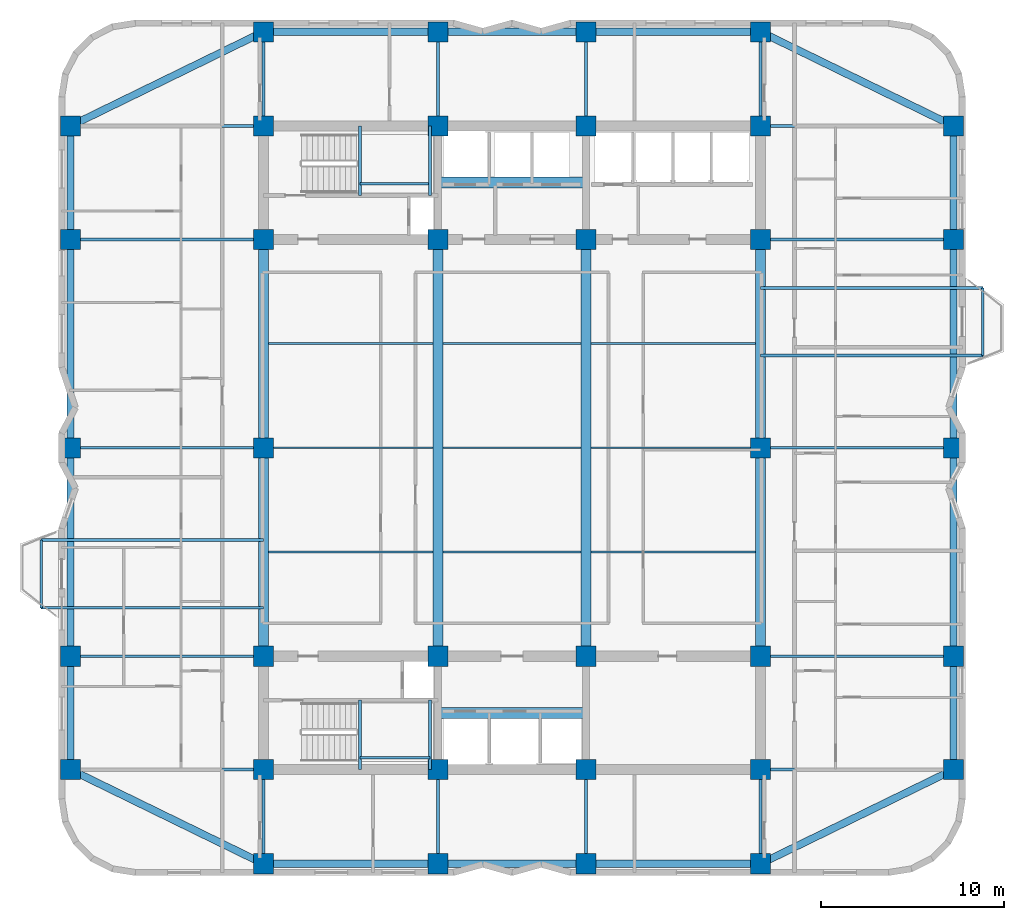
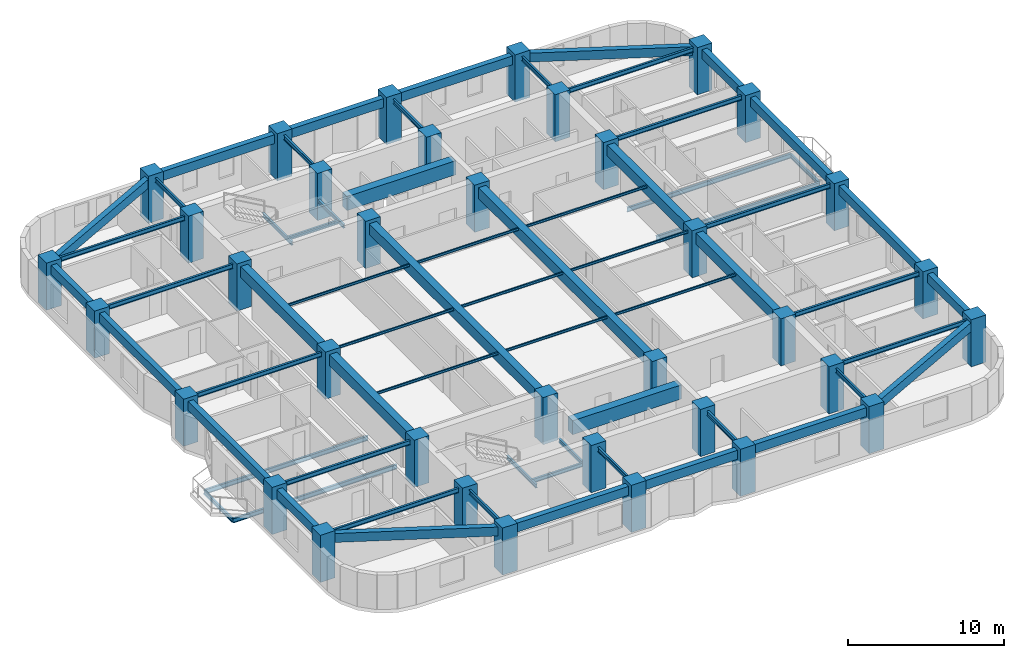
# One storey, part 1 of 9: 65 beams, 36 columns.
"""IFC4 building model written with IfcOpenShell, lengths in metres."""

from ifc_helpers import new_model, si_unit, direction, frame, origin, origin_2d, place, context, subcontext, project, spatial, rectangle, i_section, extrude, material, material_profile, profile_set, type_object, element, save


model = new_model("IFC4")

# Units and contexts
model_context = context("Model", 3, precision=1e-05, world=origin(), true_north=direction((0.0, 1.0)))
body_context = subcontext(model_context, "Body", "Model", "MODEL_VIEW")
ifc_project = project(units=[si_unit("LENGTHUNIT", "METRE"), si_unit("AREAUNIT", "SQUARE_METRE"), si_unit("VOLUMEUNIT", "CUBIC_METRE"), si_unit("PLANEANGLEUNIT", "RADIAN"), si_unit("MASSUNIT", "GRAM", prefix="KILO")], contexts=[model_context])

# Site, building, storey
site_placement = place(None, origin())
site = spatial("IfcSite", under=ifc_project, at=site_placement, CompositionType="ELEMENT")
building_placement = place(site_placement, origin())
building = spatial("IfcBuilding", under=site, at=building_placement, Name="Svetorya Sky Lyceum", CompositionType="ELEMENT")
storey_placement = place(building_placement, frame((0.0, 0.0, 121.60009765625)))
storey = spatial("IfcBuildingStorey", under=building, at=storey_placement, Name="L30", CompositionType="ELEMENT", Elevation=121.60009765625)

# Columns
ifc_material_1 = material(Name="Concrete C50/60", Category="concrete")
ifc_material_profile_1 = material_profile(ifc_material_1, rectangle(XDim=1.10009765625, YDim=1.10009765625, at=origin_2d()), Name="RC COL 1100x1100")
ifc_profile_set_1 = profile_set([ifc_material_profile_1], Name="Concrete C50/60")
column_type = type_object("IfcColumnType", Name="COL-RC-1100", PredefinedType="COLUMN", material=ifc_profile_set_1)
for number, where, z_axis, x_axis, name in (
    (1, (25.60009765625, 10.60009765625, 0.0), (0.0, 0.0, 1.0), (1.0, 0.0, 0.0), "L30 Core Column CS-11"),
    (2, (25.60009765625, 16.800048828125, 0.0), (0.0, 0.0, 1.0), (1.0, 0.0, 0.0), "L30 Core Column CS-12"),
    (3, (35.14990234375, 10.60009765625, 0.0), (0.0, 0.0, 1.0), (1.0, 0.0, 0.0), "L30 Core Column CS-21"),
    (4, (35.14990234375, 16.800048828125, 0.0), (0.0, 0.0, 1.0), (1.0, 0.0, 0.0), "L30 Core Column CS-22"),
    (5, (43.25, 10.60009765625, 0.0), (0.0, 0.0, 1.0), (1.0, 0.0, 0.0), "L30 Core Column CS-31"),
    (6, (43.25, 16.800048828125, 0.0), (0.0, 0.0, 1.0), (1.0, 0.0, 0.0), "L30 Core Column CS-32"),
    (7, (52.800048828125, 10.60009765625, 0.0), (0.0, 0.0, 1.0), (1.0, 0.0, 0.0), "L30 Core Column CS-41"),
    (8, (52.800048828125, 16.800048828125, 0.0), (0.0, 0.0, 1.0), (1.0, 0.0, 0.0), "L30 Core Column CS-42"),
    (9, (25.60009765625, 39.60009765625, 0.0), (0.0, 0.0, 1.0), (1.0, 0.0, 0.0), "L30 Core Column CN-11"),
    (10, (25.60009765625, 45.800048828125, 0.0), (0.0, 0.0, 1.0), (1.0, 0.0, 0.0), "L30 Core Column CN-12"),
    (11, (35.14990234375, 39.60009765625, 0.0), (0.0, 0.0, 1.0), (1.0, 0.0, 0.0), "L30 Core Column CN-21"),
    (12, (35.14990234375, 45.800048828125, 0.0), (0.0, 0.0, 1.0), (1.0, 0.0, 0.0), "L30 Core Column CN-22"),
    (13, (43.25, 39.60009765625, 0.0), (0.0, 0.0, 1.0), (1.0, 0.0, 0.0), "L30 Core Column CN-31"),
    (14, (43.25, 45.800048828125, 0.0), (0.0, 0.0, 1.0), (1.0, 0.0, 0.0), "L30 Core Column CN-32"),
    (15, (52.800048828125, 39.60009765625, 0.0), (0.0, 0.0, 1.0), (1.0, 0.0, 0.0), "L30 Core Column CN-41"),
    (16, (52.800048828125, 45.800048828125, 0.0), (0.0, 0.0, 1.0), (1.0, 0.0, 0.0), "L30 Core Column CN-42"),
    (17, (25.60009765625, 28.199951171875, 0.0), (0.0, 0.0, 1.0), (1.0, 0.0, 0.0), "L30 Core Column CM-W"),
    (18, (52.800048828125, 28.199951171875, 0.0), (0.0, 0.0, 1.0), (1.0, 0.0, 0.0), "L30 Core Column CM-E"),
    (19, (25.60009765625, 5.449951171875, 0.0), (0.0, 0.0, 1.0), (1.0, 0.0, 0.0), "L30 Perimeter Column S1"),
    (20, (25.60009765625, 50.949951171875, 0.0), (0.0, 0.0, 1.0), (1.0, 0.0, 0.0), "L30 Perimeter Column N1"),
    (21, (35.14990234375, 5.449951171875, 0.0), (0.0, 0.0, 1.0), (1.0, 0.0, 0.0), "L30 Perimeter Column S2"),
    (22, (35.14990234375, 50.949951171875, 0.0), (0.0, 0.0, 1.0), (1.0, 0.0, 0.0), "L30 Perimeter Column N2"),
    (23, (43.25, 5.449951171875, 0.0), (0.0, 0.0, 1.0), (1.0, 0.0, 0.0), "L30 Perimeter Column S3"),
    (24, (43.25, 50.949951171875, 0.0), (0.0, 0.0, 1.0), (1.0, 0.0, 0.0), "L30 Perimeter Column N3"),
    (25, (52.800048828125, 5.449951171875, 0.0), (0.0, 0.0, 1.0), (1.0, 0.0, 0.0), "L30 Perimeter Column S4"),
    (26, (52.800048828125, 50.949951171875, 0.0), (0.0, 0.0, 1.0), (1.0, 0.0, 0.0), "L30 Perimeter Column N4"),
    (27, (15.050048828125, 10.60009765625, 0.0), (0.0, 0.0, 1.0), (1.0, 0.0, 0.0), "L30 Perimeter Column W1"),
    (28, (63.35009765625, 10.60009765625, 0.0), (0.0, 0.0, 1.0), (1.0, 0.0, 0.0), "L30 Perimeter Column E1"),
    (29, (15.050048828125, 16.800048828125, 0.0), (0.0, 0.0, 1.0), (1.0, 0.0, 0.0), "L30 Perimeter Column W2"),
    (30, (63.35009765625, 16.800048828125, 0.0), (0.0, 0.0, 1.0), (1.0, 0.0, 0.0), "L30 Perimeter Column E2"),
    (31, (15.050048828125, 28.199951171875, 0.0), (0.0, 0.0, 1.0), (1.0, 0.0, 0.0), "L30 Perimeter Column W3"),
    (32, (63.35009765625, 28.199951171875, 0.0), (0.0, 0.0, 1.0), (1.0, 0.0, 0.0), "L30 Perimeter Column E3"),
    (33, (15.050048828125, 39.60009765625, 0.0), (0.0, 0.0, 1.0), (1.0, 0.0, 0.0), "L30 Perimeter Column W4"),
    (34, (63.35009765625, 39.60009765625, 0.0), (0.0, 0.0, 1.0), (1.0, 0.0, 0.0), "L30 Perimeter Column E4"),
    (35, (15.050048828125, 45.800048828125, 0.0), (0.0, 0.0, 1.0), (1.0, 0.0, 0.0), "L30 Perimeter Column W5"),
    (36, (63.35009765625, 45.800048828125, 0.0), (0.0, 0.0, 1.0), (1.0, 0.0, 0.0), "L30 Perimeter Column E5"),
):
    element("IfcColumn", number, at=place(storey_placement, frame(where, z_axis=z_axis, x_axis=x_axis)), inside=storey, type_object=column_type, Name=name, PredefinedType="COLUMN", context=body_context, shape_type="SweptSolid", body=[
        extrude(rectangle(XDim=1.10009765625, YDim=1.10009765625, at=origin_2d()), origin(), (0.0, 0.0, 1.0), 3.699951171875),
    ])

# Beams
ifc_material_2 = material(Name="Concrete C60/75", Category="concrete")
ifc_material_profile_2 = material_profile(ifc_material_2, rectangle(XDim=0.60009765625, YDim=1.10009765625, at=origin_2d()), Name="RC COUPLING 600x1100")
ifc_profile_set_2 = profile_set([ifc_material_profile_2], Name="Concrete C60/75")
beam_type_1 = type_object("IfcBeamType", Name="BM-CPL-1100", PredefinedType="LINTEL", material=ifc_profile_set_2)
for number, where, z_axis, x_axis, name in (
    (37, (35.14990234375, 13.699951171875, 2.869873046875), (1.0, 0.0, 0.0), (0.0, 1.0, 0.0), "L30 SC Core Coupling Beam"),
    (38, (35.14990234375, 42.699951171875, 2.869873046875), (1.0, 0.0, 0.0), (0.0, 1.0, 0.0), "L30 NC Core Coupling Beam"),
):
    element("IfcBeam", number, at=place(storey_placement, frame(where, z_axis=z_axis, x_axis=x_axis)), inside=storey, type_object=beam_type_1, Name=name, PredefinedType="LINTEL", context=body_context, shape_type="SweptSolid", body=[
        extrude(rectangle(XDim=0.60009765625, YDim=1.10009765625, at=origin_2d()), origin(), (0.0, 0.0, 1.0), 8.10009765625),
    ])
ifc_material_profile_3 = material_profile(ifc_material_1, rectangle(XDim=0.550048828125, YDim=0.85009765625, at=origin_2d()), Name="RC BEAM 550x850")
ifc_profile_set_3 = profile_set([ifc_material_profile_3], Name="Concrete C50/60")
beam_type_2 = type_object("IfcBeamType", Name="BM-RC-850", PredefinedType="BEAM", material=ifc_profile_set_3)
beam_1_placement = place(storey_placement, frame((25.60009765625, 16.800048828125, 2.994873046875), z_axis=(0.0, 1.0, 0.0), x_axis=(-1.0, 0.0, 0.0)))
element("IfcBeam", 39, at=beam_1_placement, inside=storey, type_object=beam_type_2, Name="L30 Central Bay Primary Girder CG-1A", PredefinedType="BEAM", context=body_context, shape_type="SweptSolid", body=[
    extrude(rectangle(XDim=0.550048828125, YDim=0.85009765625, at=origin_2d()), origin(), (0.0, 0.0, 1.0), 11.39990234375),
])
beam_2_placement = place(storey_placement, frame((25.60009765625, 28.199951171875, 2.994873046875), z_axis=(0.0, 1.0, 0.0), x_axis=(-1.0, 0.0, 0.0)))
element("IfcBeam", 40, at=beam_2_placement, inside=storey, type_object=beam_type_2, Name="L30 Central Bay Primary Girder CG-1B", PredefinedType="BEAM", context=body_context, shape_type="SweptSolid", body=[
    extrude(rectangle(XDim=0.550048828125, YDim=0.85009765625, at=origin_2d()), origin(), (0.0, 0.0, 1.0), 11.400146484375),
])
for number, where, z_axis, x_axis, name in (
    (41, (35.14990234375, 16.800048828125, 2.994873046875), (0.0, 1.0, 0.0), (-1.0, 0.0, 0.0), "L30 Central Bay Primary Girder CG-2"),
    (42, (43.25, 16.800048828125, 2.994873046875), (0.0, 1.0, 0.0), (-1.0, 0.0, 0.0), "L30 Central Bay Primary Girder CG-3"),
):
    element("IfcBeam", number, at=place(storey_placement, frame(where, z_axis=z_axis, x_axis=x_axis)), inside=storey, type_object=beam_type_2, Name=name, PredefinedType="BEAM", context=body_context, shape_type="SweptSolid", body=[
        extrude(rectangle(XDim=0.550048828125, YDim=0.85009765625, at=origin_2d()), origin(), (0.0, 0.0, 1.0), 22.800048828125),
    ])
beam_3_placement = place(storey_placement, frame((52.800048828125, 16.800048828125, 2.994873046875), z_axis=(0.0, 1.0, 0.0), x_axis=(-1.0, 0.0, 0.0)))
element("IfcBeam", 43, at=beam_3_placement, inside=storey, type_object=beam_type_2, Name="L30 Central Bay Primary Girder CG-4A", PredefinedType="BEAM", context=body_context, shape_type="SweptSolid", body=[
    extrude(rectangle(XDim=0.550048828125, YDim=0.85009765625, at=origin_2d()), origin(), (0.0, 0.0, 1.0), 11.39990234375),
])
beam_4_placement = place(storey_placement, frame((52.800048828125, 28.199951171875, 2.994873046875), z_axis=(0.0, 1.0, 0.0), x_axis=(-1.0, 0.0, 0.0)))
element("IfcBeam", 44, at=beam_4_placement, inside=storey, type_object=beam_type_2, Name="L30 Central Bay Primary Girder CG-4B", PredefinedType="BEAM", context=body_context, shape_type="SweptSolid", body=[
    extrude(rectangle(XDim=0.550048828125, YDim=0.85009765625, at=origin_2d()), origin(), (0.0, 0.0, 1.0), 11.400146484375),
])
ifc_material_profile_4 = material_profile(ifc_material_1, rectangle(XDim=0.39990234375, YDim=0.699951171875, at=origin_2d()), Name="RC SPANDREL 400x700")
ifc_profile_set_4 = profile_set([ifc_material_profile_4], Name="Concrete C50/60")
beam_type_3 = type_object("IfcBeamType", Name="BM-SPN-700", PredefinedType="SPANDREL", material=ifc_profile_set_4)
beam_5_placement = place(storey_placement, frame((25.60009765625, 5.449951171875, 3.06982421875), z_axis=(1.0, 0.0, 0.0), x_axis=(0.0, 1.0, 0.0)))
element("IfcBeam", 45, at=beam_5_placement, inside=storey, type_object=beam_type_3, Name="L30 South Spandrel 1", PredefinedType="SPANDREL", context=body_context, shape_type="SweptSolid", body=[
    extrude(rectangle(XDim=0.39990234375, YDim=0.699951171875, at=origin_2d()), origin(), (0.0, 0.0, 1.0), 9.5498046875),
])
beam_6_placement = place(storey_placement, frame((35.14990234375, 5.449951171875, 3.06982421875), z_axis=(1.0, 0.0, 0.0), x_axis=(0.0, 1.0, 0.0)))
element("IfcBeam", 46, at=beam_6_placement, inside=storey, type_object=beam_type_3, Name="L30 South Spandrel 2", PredefinedType="SPANDREL", context=body_context, shape_type="SweptSolid", body=[
    extrude(rectangle(XDim=0.39990234375, YDim=0.699951171875, at=origin_2d()), origin(), (0.0, 0.0, 1.0), 8.10009765625),
])
beam_7_placement = place(storey_placement, frame((43.25, 5.449951171875, 3.06982421875), z_axis=(1.0, 0.0, 0.0), x_axis=(0.0, 1.0, 0.0)))
element("IfcBeam", 47, at=beam_7_placement, inside=storey, type_object=beam_type_3, Name="L30 South Spandrel 3", PredefinedType="SPANDREL", context=body_context, shape_type="SweptSolid", body=[
    extrude(rectangle(XDim=0.39990234375, YDim=0.699951171875, at=origin_2d()), origin(), (0.0, 0.0, 1.0), 9.550048828125),
])
beam_8_placement = place(storey_placement, frame((25.60009765625, 50.949951171875, 3.06982421875), z_axis=(1.0, 0.0, 0.0), x_axis=(0.0, 1.0, 0.0)))
element("IfcBeam", 48, at=beam_8_placement, inside=storey, type_object=beam_type_3, Name="L30 North Spandrel 1", PredefinedType="SPANDREL", context=body_context, shape_type="SweptSolid", body=[
    extrude(rectangle(XDim=0.39990234375, YDim=0.699951171875, at=origin_2d()), origin(), (0.0, 0.0, 1.0), 9.5498046875),
])
beam_9_placement = place(storey_placement, frame((35.14990234375, 50.949951171875, 3.06982421875), z_axis=(1.0, 0.0, 0.0), x_axis=(0.0, 1.0, 0.0)))
element("IfcBeam", 49, at=beam_9_placement, inside=storey, type_object=beam_type_3, Name="L30 North Spandrel 2", PredefinedType="SPANDREL", context=body_context, shape_type="SweptSolid", body=[
    extrude(rectangle(XDim=0.39990234375, YDim=0.699951171875, at=origin_2d()), origin(), (0.0, 0.0, 1.0), 8.10009765625),
])
beam_10_placement = place(storey_placement, frame((43.25, 50.949951171875, 3.06982421875), z_axis=(1.0, 0.0, 0.0), x_axis=(0.0, 1.0, 0.0)))
element("IfcBeam", 50, at=beam_10_placement, inside=storey, type_object=beam_type_3, Name="L30 North Spandrel 3", PredefinedType="SPANDREL", context=body_context, shape_type="SweptSolid", body=[
    extrude(rectangle(XDim=0.39990234375, YDim=0.699951171875, at=origin_2d()), origin(), (0.0, 0.0, 1.0), 9.550048828125),
])
for number, where, z_axis, x_axis, name in (
    (51, (25.60009765625, 5.449951171875, 3.06982421875), (-0.898641495694, 0.438683783854, 0.0), (-0.438683783854, -0.898641495694, 0.0), "L30 Corner Spandrel 1"),
    (52, (52.800048828125, 5.449951171875, 3.06982421875), (0.898641495694, 0.438683783854, 0.0), (-0.438683783854, 0.898641495694, 0.0), "L30 Corner Spandrel 2"),
    (53, (63.35009765625, 45.800048828125, 3.06982421875), (-0.898649693653, 0.438666989978, 0.0), (-0.438666989978, -0.898649693653, 0.0), "L30 Corner Spandrel 3"),
    (54, (15.050048828125, 45.800048828125, 3.06982421875), (0.898649693653, 0.438666989978, 0.0), (-0.438666989978, 0.898649693653, 0.0), "L30 Corner Spandrel 4"),
):
    element("IfcBeam", number, at=place(storey_placement, frame(where, z_axis=z_axis, x_axis=x_axis)), inside=storey, type_object=beam_type_3, Name=name, PredefinedType="SPANDREL", context=body_context, shape_type="SweptSolid", body=[
        extrude(rectangle(XDim=0.39990234375, YDim=0.699951171875, at=origin_2d()), origin(), (0.0, 0.0, 1.0), 11.739990234375),
    ])
beam_11_placement = place(storey_placement, frame((15.050048828125, 10.60009765625, 3.06982421875), z_axis=(0.0, 1.0, 0.0), x_axis=(-1.0, 0.0, 0.0)))
element("IfcBeam", 55, at=beam_11_placement, inside=storey, type_object=beam_type_3, Name="L30 West Spandrel 1", PredefinedType="SPANDREL", context=body_context, shape_type="SweptSolid", body=[
    extrude(rectangle(XDim=0.39990234375, YDim=0.699951171875, at=origin_2d()), origin(), (0.0, 0.0, 1.0), 6.199951171875),
])
beam_12_placement = place(storey_placement, frame((15.050048828125, 16.800048828125, 3.06982421875), z_axis=(0.0, 1.0, 0.0), x_axis=(-1.0, 0.0, 0.0)))
element("IfcBeam", 56, at=beam_12_placement, inside=storey, type_object=beam_type_3, Name="L30 West Spandrel 2", PredefinedType="SPANDREL", context=body_context, shape_type="SweptSolid", body=[
    extrude(rectangle(XDim=0.39990234375, YDim=0.699951171875, at=origin_2d()), origin(), (0.0, 0.0, 1.0), 11.39990234375),
])
beam_13_placement = place(storey_placement, frame((15.050048828125, 28.199951171875, 3.06982421875), z_axis=(0.0, 1.0, 0.0), x_axis=(-1.0, 0.0, 0.0)))
element("IfcBeam", 57, at=beam_13_placement, inside=storey, type_object=beam_type_3, Name="L30 West Spandrel 3", PredefinedType="SPANDREL", context=body_context, shape_type="SweptSolid", body=[
    extrude(rectangle(XDim=0.39990234375, YDim=0.699951171875, at=origin_2d()), origin(), (0.0, 0.0, 1.0), 11.400146484375),
])
for number, where, z_axis, x_axis, name in (
    (58, (15.050048828125, 39.60009765625, 3.06982421875), (0.0, 1.0, 0.0), (-1.0, 0.0, 0.0), "L30 West Spandrel 4"),
    (59, (63.35009765625, 10.60009765625, 3.06982421875), (0.0, 1.0, 0.0), (-1.0, 0.0, 0.0), "L30 East Spandrel 1"),
):
    element("IfcBeam", number, at=place(storey_placement, frame(where, z_axis=z_axis, x_axis=x_axis)), inside=storey, type_object=beam_type_3, Name=name, PredefinedType="SPANDREL", context=body_context, shape_type="SweptSolid", body=[
        extrude(rectangle(XDim=0.39990234375, YDim=0.699951171875, at=origin_2d()), origin(), (0.0, 0.0, 1.0), 6.199951171875),
    ])
beam_14_placement = place(storey_placement, frame((63.35009765625, 16.800048828125, 3.06982421875), z_axis=(0.0, 1.0, 0.0), x_axis=(-1.0, 0.0, 0.0)))
element("IfcBeam", 60, at=beam_14_placement, inside=storey, type_object=beam_type_3, Name="L30 East Spandrel 2", PredefinedType="SPANDREL", context=body_context, shape_type="SweptSolid", body=[
    extrude(rectangle(XDim=0.39990234375, YDim=0.699951171875, at=origin_2d()), origin(), (0.0, 0.0, 1.0), 11.39990234375),
])
beam_15_placement = place(storey_placement, frame((63.35009765625, 28.199951171875, 3.06982421875), z_axis=(0.0, 1.0, 0.0), x_axis=(-1.0, 0.0, 0.0)))
element("IfcBeam", 61, at=beam_15_placement, inside=storey, type_object=beam_type_3, Name="L30 East Spandrel 3", PredefinedType="SPANDREL", context=body_context, shape_type="SweptSolid", body=[
    extrude(rectangle(XDim=0.39990234375, YDim=0.699951171875, at=origin_2d()), origin(), (0.0, 0.0, 1.0), 11.400146484375),
])
beam_16_placement = place(storey_placement, frame((63.35009765625, 39.60009765625, 3.06982421875), z_axis=(0.0, 1.0, 0.0), x_axis=(-1.0, 0.0, 0.0)))
element("IfcBeam", 62, at=beam_16_placement, inside=storey, type_object=beam_type_3, Name="L30 East Spandrel 4", PredefinedType="SPANDREL", context=body_context, shape_type="SweptSolid", body=[
    extrude(rectangle(XDim=0.39990234375, YDim=0.699951171875, at=origin_2d()), origin(), (0.0, 0.0, 1.0), 6.199951171875),
])
ifc_material_3 = material(Name="Steel S355", Category="steel")
ifc_material_profile_5 = material_profile(ifc_material_3, i_section(OverallWidth=0.10009765625, OverallDepth=0.199951171875, WebThickness=0.005615234375, FlangeThickness=0.008544921875, at=origin_2d()), Name="GOST 20B1")
ifc_profile_set_5 = profile_set([ifc_material_profile_5], Name="Steel S355")
beam_type_4 = type_object("IfcBeamType", Name="BM-STL-20B1", PredefinedType="JOIST", material=ifc_profile_set_5)
beam_17_placement = place(storey_placement, frame((25.875, 22.5, 3.31982421875), z_axis=(1.0, 0.0, 0.0), x_axis=(0.0, 1.0, 0.0)))
element("IfcBeam", 63, at=beam_17_placement, inside=storey, type_object=beam_type_4, Name="L30 Central Floor Joist CJ-1.1", PredefinedType="JOIST", context=body_context, shape_type="SweptSolid", body=[
    extrude(i_section(OverallWidth=0.10009765625, OverallDepth=0.199951171875, WebThickness=0.005615234375, FlangeThickness=0.008544921875, at=origin_2d()), origin(), (0.0, 0.0, 1.0), 9.0),
])
beam_18_placement = place(storey_placement, frame((35.425048828125, 22.5, 3.31982421875), z_axis=(1.0, 0.0, 0.0), x_axis=(0.0, 1.0, 0.0)))
element("IfcBeam", 64, at=beam_18_placement, inside=storey, type_object=beam_type_4, Name="L30 Central Floor Joist CJ-1.2", PredefinedType="JOIST", context=body_context, shape_type="SweptSolid", body=[
    extrude(i_section(OverallWidth=0.10009765625, OverallDepth=0.199951171875, WebThickness=0.005615234375, FlangeThickness=0.008544921875, at=origin_2d()), origin(), (0.0, 0.0, 1.0), 7.550048828125),
])
for number, where, z_axis, x_axis, name in (
    (65, (43.52490234375, 22.5, 3.31982421875), (1.0, 0.0, 0.0), (0.0, 1.0, 0.0), "L30 Central Floor Joist CJ-1.3"),
    (66, (25.875, 28.199951171875, 3.31982421875), (1.0, 0.0, 0.0), (0.0, 1.0, 0.0), "L30 Central Floor Joist CJ-2.1"),
):
    element("IfcBeam", number, at=place(storey_placement, frame(where, z_axis=z_axis, x_axis=x_axis)), inside=storey, type_object=beam_type_4, Name=name, PredefinedType="JOIST", context=body_context, shape_type="SweptSolid", body=[
        extrude(i_section(OverallWidth=0.10009765625, OverallDepth=0.199951171875, WebThickness=0.005615234375, FlangeThickness=0.008544921875, at=origin_2d()), origin(), (0.0, 0.0, 1.0), 9.0),
    ])
beam_19_placement = place(storey_placement, frame((35.425048828125, 28.199951171875, 3.31982421875), z_axis=(1.0, 0.0, 0.0), x_axis=(0.0, 1.0, 0.0)))
element("IfcBeam", 67, at=beam_19_placement, inside=storey, type_object=beam_type_4, Name="L30 Central Floor Joist CJ-2.2", PredefinedType="JOIST", context=body_context, shape_type="SweptSolid", body=[
    extrude(i_section(OverallWidth=0.10009765625, OverallDepth=0.199951171875, WebThickness=0.005615234375, FlangeThickness=0.008544921875, at=origin_2d()), origin(), (0.0, 0.0, 1.0), 7.550048828125),
])
for number, where, z_axis, x_axis, name in (
    (68, (43.52490234375, 28.199951171875, 3.31982421875), (1.0, 0.0, 0.0), (0.0, 1.0, 0.0), "L30 Central Floor Joist CJ-2.3"),
    (69, (25.875, 33.89990234375, 3.31982421875), (1.0, 0.0, 0.0), (0.0, 1.0, 0.0), "L30 Central Floor Joist CJ-3.1"),
):
    element("IfcBeam", number, at=place(storey_placement, frame(where, z_axis=z_axis, x_axis=x_axis)), inside=storey, type_object=beam_type_4, Name=name, PredefinedType="JOIST", context=body_context, shape_type="SweptSolid", body=[
        extrude(i_section(OverallWidth=0.10009765625, OverallDepth=0.199951171875, WebThickness=0.005615234375, FlangeThickness=0.008544921875, at=origin_2d()), origin(), (0.0, 0.0, 1.0), 9.0),
    ])
beam_20_placement = place(storey_placement, frame((35.425048828125, 33.89990234375, 3.31982421875), z_axis=(1.0, 0.0, 0.0), x_axis=(0.0, 1.0, 0.0)))
element("IfcBeam", 70, at=beam_20_placement, inside=storey, type_object=beam_type_4, Name="L30 Central Floor Joist CJ-3.2", PredefinedType="JOIST", context=body_context, shape_type="SweptSolid", body=[
    extrude(i_section(OverallWidth=0.10009765625, OverallDepth=0.199951171875, WebThickness=0.005615234375, FlangeThickness=0.008544921875, at=origin_2d()), origin(), (0.0, 0.0, 1.0), 7.550048828125),
])
beam_21_placement = place(storey_placement, frame((43.52490234375, 33.89990234375, 3.31982421875), z_axis=(1.0, 0.0, 0.0), x_axis=(0.0, 1.0, 0.0)))
element("IfcBeam", 71, at=beam_21_placement, inside=storey, type_object=beam_type_4, Name="L30 Central Floor Joist CJ-3.3", PredefinedType="JOIST", context=body_context, shape_type="SweptSolid", body=[
    extrude(i_section(OverallWidth=0.10009765625, OverallDepth=0.199951171875, WebThickness=0.005615234375, FlangeThickness=0.008544921875, at=origin_2d()), origin(), (0.0, 0.0, 1.0), 9.0),
])
ifc_material_profile_6 = material_profile(ifc_material_3, i_section(OverallWidth=0.14990234375, OverallDepth=0.299072265625, WebThickness=0.006591796875, FlangeThickness=0.010498046875, at=origin_2d()), Name="GOST 30B2")
ifc_profile_set_6 = profile_set([ifc_material_profile_6], Name="Steel S355")
beam_type_5 = type_object("IfcBeamType", Name="BM-STL-30B2", PredefinedType="JOIST", material=ifc_profile_set_6)
for number, where, z_axis, x_axis, name in (
    (72, (13.449951171875, 19.449951171875, -0.45458984375), (0.0, 1.0, 0.0), (-1.0, 0.0, 0.0), "L30 Balcony Edge Tie BAL-W1"),
    (73, (64.949951171875, 33.25, -0.45458984375), (0.0, 1.0, 0.0), (-1.0, 0.0, 0.0), "L30 Balcony Edge Tie BAL-E1"),
):
    element("IfcBeam", number, at=place(storey_placement, frame(where, z_axis=z_axis, x_axis=x_axis)), inside=storey, type_object=beam_type_5, Name=name, PredefinedType="JOIST", context=body_context, shape_type="SweptSolid", body=[
        extrude(i_section(OverallWidth=0.14990234375, OverallDepth=0.299072265625, WebThickness=0.006591796875, FlangeThickness=0.010498046875, at=origin_2d()), origin(), (0.0, 0.0, 1.0), 3.699951171875),
    ])
for number, where, z_axis, x_axis, name in (
    (74, (30.8798828125, 10.60009765625, 1.50048828125), (0.0, 1.0, 0.0), (-1.0, 0.0, 0.0), "L30 Stair ST-S Half-Landing Support Beam 34.1"),
    (75, (34.719970703125, 10.60009765625, 1.50048828125), (0.0, 1.0, 0.0), (-1.0, 0.0, 0.0), "L30 Stair ST-S Half-Landing Support Beam 34.2"),
):
    element("IfcBeam", number, at=place(storey_placement, frame(where, z_axis=z_axis, x_axis=x_axis)), inside=storey, type_object=beam_type_5, Name=name, PredefinedType="JOIST", context=body_context, shape_type="SweptSolid", body=[
        extrude(i_section(OverallWidth=0.14990234375, OverallDepth=0.299072265625, WebThickness=0.006591796875, FlangeThickness=0.010498046875, at=origin_2d()), origin(), (0.0, 0.0, 1.0), 3.7998046875),
    ])
beam_22_placement = place(storey_placement, frame((30.8798828125, 11.25, 1.50048828125), z_axis=(1.0, 0.0, 0.0), x_axis=(0.0, 1.0, 0.0)))
element("IfcBeam", 76, at=beam_22_placement, inside=storey, type_object=beam_type_5, Name="L30 Stair ST-S Half-Landing Cross Tie 34", PredefinedType="JOIST", context=body_context, shape_type="SweptSolid", body=[
    extrude(i_section(OverallWidth=0.14990234375, OverallDepth=0.299072265625, WebThickness=0.006591796875, FlangeThickness=0.010498046875, at=origin_2d()), origin(), (0.0, 0.0, 1.0), 3.840087890625),
])
for number, where, z_axis, x_axis, name in (
    (77, (30.8798828125, 42.0, 1.50048828125), (0.0, 1.0, 0.0), (-1.0, 0.0, 0.0), "L30 Stair ST-N Half-Landing Support Beam 34.1"),
    (78, (34.719970703125, 42.0, 1.50048828125), (0.0, 1.0, 0.0), (-1.0, 0.0, 0.0), "L30 Stair ST-N Half-Landing Support Beam 34.2"),
):
    element("IfcBeam", number, at=place(storey_placement, frame(where, z_axis=z_axis, x_axis=x_axis)), inside=storey, type_object=beam_type_5, Name=name, PredefinedType="JOIST", context=body_context, shape_type="SweptSolid", body=[
        extrude(i_section(OverallWidth=0.14990234375, OverallDepth=0.299072265625, WebThickness=0.006591796875, FlangeThickness=0.010498046875, at=origin_2d()), origin(), (0.0, 0.0, 1.0), 3.800048828125),
    ])
beam_23_placement = place(storey_placement, frame((30.8798828125, 42.64990234375, 1.50048828125), z_axis=(1.0, 0.0, 0.0), x_axis=(0.0, 1.0, 0.0)))
element("IfcBeam", 79, at=beam_23_placement, inside=storey, type_object=beam_type_5, Name="L30 Stair ST-N Half-Landing Cross Tie 34", PredefinedType="JOIST", context=body_context, shape_type="SweptSolid", body=[
    extrude(i_section(OverallWidth=0.14990234375, OverallDepth=0.299072265625, WebThickness=0.006591796875, FlangeThickness=0.010498046875, at=origin_2d()), origin(), (0.0, 0.0, 1.0), 3.840087890625),
])
ifc_material_profile_7 = material_profile(ifc_material_3, i_section(OverallWidth=0.155029296875, OverallDepth=0.34912109375, WebThickness=0.007080078125, FlangeThickness=0.011474609375, at=origin_2d()), Name="GOST 35B2")
ifc_profile_set_7 = profile_set([ifc_material_profile_7], Name="Steel S355")
beam_type_6 = type_object("IfcBeamType", Name="BM-STL-35B2", PredefinedType="JOIST", material=ifc_profile_set_7)
for number, where, z_axis, x_axis, name in (
    (80, (25.60009765625, 19.449951171875, -0.45458984375), (-1.0, 0.0, 0.0), (0.0, -1.0, 0.0), "L30 Balcony Cantilever Beam BAL-W1-1"),
    (81, (25.60009765625, 23.14990234375, -0.45458984375), (-1.0, 0.0, 0.0), (0.0, -1.0, 0.0), "L30 Balcony Cantilever Beam BAL-W1-2"),
):
    element("IfcBeam", number, at=place(storey_placement, frame(where, z_axis=z_axis, x_axis=x_axis)), inside=storey, type_object=beam_type_6, Name=name, PredefinedType="JOIST", context=body_context, shape_type="SweptSolid", body=[
        extrude(i_section(OverallWidth=0.155029296875, OverallDepth=0.34912109375, WebThickness=0.007080078125, FlangeThickness=0.011474609375, at=origin_2d()), origin(), (0.0, 0.0, 1.0), 12.150146484375),
    ])
for number, where, z_axis, x_axis, name in (
    (82, (52.800048828125, 33.25, -0.45458984375), (1.0, 0.0, 0.0), (0.0, 1.0, 0.0), "L30 Balcony Cantilever Beam BAL-E1-1"),
    (83, (52.800048828125, 36.949951171875, -0.45458984375), (1.0, 0.0, 0.0), (0.0, 1.0, 0.0), "L30 Balcony Cantilever Beam BAL-E1-2"),
):
    element("IfcBeam", number, at=place(storey_placement, frame(where, z_axis=z_axis, x_axis=x_axis)), inside=storey, type_object=beam_type_6, Name=name, PredefinedType="JOIST", context=body_context, shape_type="SweptSolid", body=[
        extrude(i_section(OverallWidth=0.155029296875, OverallDepth=0.34912109375, WebThickness=0.007080078125, FlangeThickness=0.011474609375, at=origin_2d()), origin(), (0.0, 0.0, 1.0), 12.14990234375),
    ])
for number, where, z_axis, x_axis, name in (
    (84, (15.050048828125, 10.60009765625, 3.245361328125), (1.0, 0.0, 0.0), (0.0, 1.0, 0.0), "L30 West Wing Floor Joist W1"),
    (85, (52.800048828125, 10.60009765625, 3.245361328125), (1.0, 0.0, 0.0), (0.0, 1.0, 0.0), "L30 East Wing Floor Joist E1"),
    (86, (15.050048828125, 16.800048828125, 3.245361328125), (1.0, 0.0, 0.0), (0.0, 1.0, 0.0), "L30 West Wing Floor Joist W2"),
    (87, (52.800048828125, 16.800048828125, 3.245361328125), (1.0, 0.0, 0.0), (0.0, 1.0, 0.0), "L30 East Wing Floor Joist E2"),
    (88, (15.050048828125, 28.199951171875, 3.245361328125), (1.0, 0.0, 0.0), (0.0, 1.0, 0.0), "L30 West Wing Floor Joist W3"),
    (89, (52.800048828125, 28.199951171875, 3.245361328125), (1.0, 0.0, 0.0), (0.0, 1.0, 0.0), "L30 East Wing Floor Joist E3"),
    (90, (15.050048828125, 39.60009765625, 3.245361328125), (1.0, 0.0, 0.0), (0.0, 1.0, 0.0), "L30 West Wing Floor Joist W4"),
    (91, (52.800048828125, 39.60009765625, 3.245361328125), (1.0, 0.0, 0.0), (0.0, 1.0, 0.0), "L30 East Wing Floor Joist E4"),
    (92, (15.050048828125, 45.800048828125, 3.245361328125), (1.0, 0.0, 0.0), (0.0, 1.0, 0.0), "L30 West Wing Floor Joist W5"),
    (93, (52.800048828125, 45.800048828125, 3.245361328125), (1.0, 0.0, 0.0), (0.0, 1.0, 0.0), "L30 East Wing Floor Joist E5"),
):
    element("IfcBeam", number, at=place(storey_placement, frame(where, z_axis=z_axis, x_axis=x_axis)), inside=storey, type_object=beam_type_6, Name=name, PredefinedType="JOIST", context=body_context, shape_type="SweptSolid", body=[
        extrude(i_section(OverallWidth=0.155029296875, OverallDepth=0.34912109375, WebThickness=0.007080078125, FlangeThickness=0.011474609375, at=origin_2d()), origin(), (0.0, 0.0, 1.0), 10.550048828125),
    ])
beam_24_placement = place(storey_placement, frame((25.60009765625, 5.449951171875, 3.245361328125), z_axis=(0.0, 1.0, 0.0), x_axis=(-1.0, 0.0, 0.0)))
element("IfcBeam", 94, at=beam_24_placement, inside=storey, type_object=beam_type_6, Name="L30 South Bay Floor Girder S1", PredefinedType="JOIST", context=body_context, shape_type="SweptSolid", body=[
    extrude(i_section(OverallWidth=0.155029296875, OverallDepth=0.34912109375, WebThickness=0.007080078125, FlangeThickness=0.011474609375, at=origin_2d()), origin(), (0.0, 0.0, 1.0), 5.150146484375),
])
beam_25_placement = place(storey_placement, frame((25.60009765625, 45.800048828125, 3.245361328125), z_axis=(0.0, 1.0, 0.0), x_axis=(-1.0, 0.0, 0.0)))
element("IfcBeam", 95, at=beam_25_placement, inside=storey, type_object=beam_type_6, Name="L30 North Bay Floor Girder N1", PredefinedType="JOIST", context=body_context, shape_type="SweptSolid", body=[
    extrude(i_section(OverallWidth=0.155029296875, OverallDepth=0.34912109375, WebThickness=0.007080078125, FlangeThickness=0.011474609375, at=origin_2d()), origin(), (0.0, 0.0, 1.0), 5.14990234375),
])
beam_26_placement = place(storey_placement, frame((35.14990234375, 5.449951171875, 3.245361328125), z_axis=(0.0, 1.0, 0.0), x_axis=(-1.0, 0.0, 0.0)))
element("IfcBeam", 96, at=beam_26_placement, inside=storey, type_object=beam_type_6, Name="L30 South Bay Floor Girder S2", PredefinedType="JOIST", context=body_context, shape_type="SweptSolid", body=[
    extrude(i_section(OverallWidth=0.155029296875, OverallDepth=0.34912109375, WebThickness=0.007080078125, FlangeThickness=0.011474609375, at=origin_2d()), origin(), (0.0, 0.0, 1.0), 5.150146484375),
])
beam_27_placement = place(storey_placement, frame((35.14990234375, 45.800048828125, 3.245361328125), z_axis=(0.0, 1.0, 0.0), x_axis=(-1.0, 0.0, 0.0)))
element("IfcBeam", 97, at=beam_27_placement, inside=storey, type_object=beam_type_6, Name="L30 North Bay Floor Girder N2", PredefinedType="JOIST", context=body_context, shape_type="SweptSolid", body=[
    extrude(i_section(OverallWidth=0.155029296875, OverallDepth=0.34912109375, WebThickness=0.007080078125, FlangeThickness=0.011474609375, at=origin_2d()), origin(), (0.0, 0.0, 1.0), 5.14990234375),
])
beam_28_placement = place(storey_placement, frame((43.25, 5.449951171875, 3.245361328125), z_axis=(0.0, 1.0, 0.0), x_axis=(-1.0, 0.0, 0.0)))
element("IfcBeam", 98, at=beam_28_placement, inside=storey, type_object=beam_type_6, Name="L30 South Bay Floor Girder S3", PredefinedType="JOIST", context=body_context, shape_type="SweptSolid", body=[
    extrude(i_section(OverallWidth=0.155029296875, OverallDepth=0.34912109375, WebThickness=0.007080078125, FlangeThickness=0.011474609375, at=origin_2d()), origin(), (0.0, 0.0, 1.0), 5.150146484375),
])
beam_29_placement = place(storey_placement, frame((43.25, 45.800048828125, 3.245361328125), z_axis=(0.0, 1.0, 0.0), x_axis=(-1.0, 0.0, 0.0)))
element("IfcBeam", 99, at=beam_29_placement, inside=storey, type_object=beam_type_6, Name="L30 North Bay Floor Girder N3", PredefinedType="JOIST", context=body_context, shape_type="SweptSolid", body=[
    extrude(i_section(OverallWidth=0.155029296875, OverallDepth=0.34912109375, WebThickness=0.007080078125, FlangeThickness=0.011474609375, at=origin_2d()), origin(), (0.0, 0.0, 1.0), 5.14990234375),
])
beam_30_placement = place(storey_placement, frame((52.800048828125, 5.449951171875, 3.245361328125), z_axis=(0.0, 1.0, 0.0), x_axis=(-1.0, 0.0, 0.0)))
element("IfcBeam", 100, at=beam_30_placement, inside=storey, type_object=beam_type_6, Name="L30 South Bay Floor Girder S4", PredefinedType="JOIST", context=body_context, shape_type="SweptSolid", body=[
    extrude(i_section(OverallWidth=0.155029296875, OverallDepth=0.34912109375, WebThickness=0.007080078125, FlangeThickness=0.011474609375, at=origin_2d()), origin(), (0.0, 0.0, 1.0), 5.150146484375),
])
beam_31_placement = place(storey_placement, frame((52.800048828125, 45.800048828125, 3.245361328125), z_axis=(0.0, 1.0, 0.0), x_axis=(-1.0, 0.0, 0.0)))
element("IfcBeam", 101, at=beam_31_placement, inside=storey, type_object=beam_type_6, Name="L30 North Bay Floor Girder N4", PredefinedType="JOIST", context=body_context, shape_type="SweptSolid", body=[
    extrude(i_section(OverallWidth=0.155029296875, OverallDepth=0.34912109375, WebThickness=0.007080078125, FlangeThickness=0.011474609375, at=origin_2d()), origin(), (0.0, 0.0, 1.0), 5.14990234375),
])

save(model, "model.ifc")
